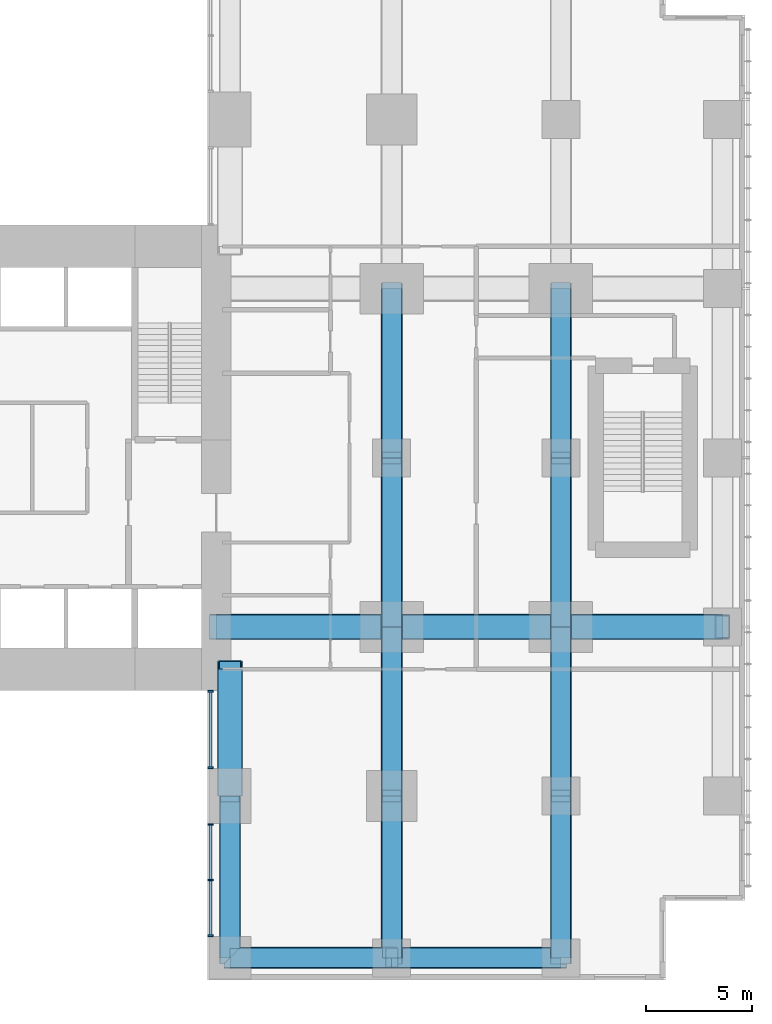
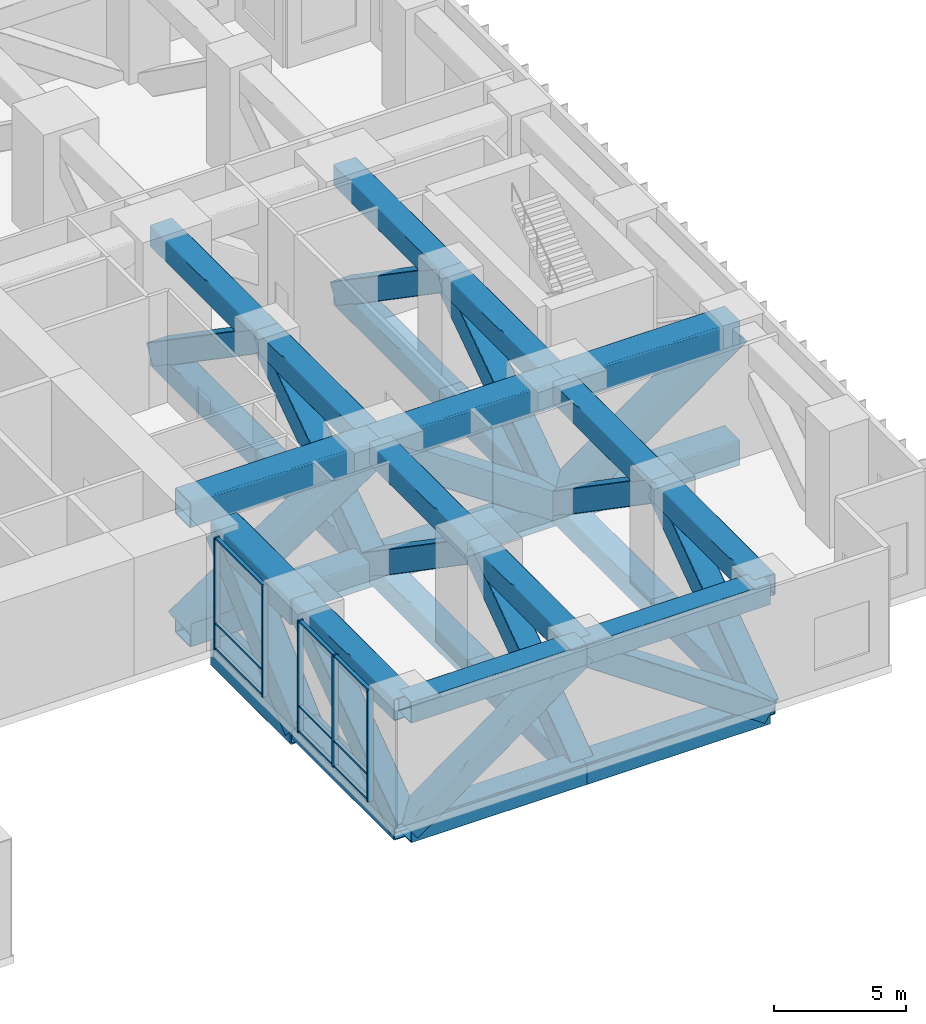
# One storey, part 3 of 15: 59 members, 2 elements without a shape of their own.
"""IFC4 building model written with IfcOpenShell, lengths in metres."""

from ifc_helpers import new_model, si_unit, direction, frame, origin, origin_2d, place, context, subcontext, project, spatial, rectangle, hollow_rectangle, extrude, material, layer, layer_set, material_profile, profile_set, type_object, element, aggregate, save


model = new_model("IFC4")

# Units and contexts
model_context = context("Model", 3, precision=1e-05, world=origin(), true_north=direction((0.0, 1.0)))
body_context = subcontext(model_context, "Body", "Model", "MODEL_VIEW")
ifc_project = project(units=[si_unit("LENGTHUNIT", "METRE"), si_unit("AREAUNIT", "SQUARE_METRE"), si_unit("VOLUMEUNIT", "CUBIC_METRE"), si_unit("PLANEANGLEUNIT", "RADIAN"), si_unit("MASSUNIT", "GRAM", prefix="KILO")], contexts=[model_context])

# Site, building, storey
site_placement = place(None, origin())
site = spatial("IfcSite", under=ifc_project, at=site_placement, CompositionType="ELEMENT")
building_placement = place(site_placement, origin())
building = spatial("IfcBuilding", under=site, at=building_placement, Name="Cleftline Residences", CompositionType="ELEMENT")
storey_placement = place(building_placement, frame((0.0, 0.0, 171.800048828125)))
storey = spatial("IfcBuildingStorey", under=building, at=storey_placement, Name="L45", CompositionType="ELEMENT", Elevation=171.800048828125)

# Members
ifc_material_1 = material(Name="Steel S355", Category="steel")
ifc_material_profile_1 = material_profile(ifc_material_1, hollow_rectangle(XDim=1.0, YDim=1.0, WallThickness=0.0400390625, InnerFilletRadius=0.0400390625, OuterFilletRadius=0.06005859375, at=origin_2d()))
ifc_profile_set_1 = profile_set([ifc_material_profile_1], Name="Steel S355")
member_type_1 = type_object("IfcMemberType", Name="BRACE BOX 1000X1000X40", PredefinedType="BRACE", material=ifc_profile_set_1)
for number, where, z_axis, x_axis, name in (
    (1, (42.35009765625, 0.35009765625, -0.85009765625), (0.0, 0.811933238445, 0.583750303048), (0.0, -0.583750303048, 0.811933238445), "Belt truss diagonal"),
    (2, (50.0, 0.35009765625, -0.85009765625), (0.0, 0.811933238445, 0.583750303048), (0.0, -0.583750303048, 0.811933238445), "Belt truss diagonal"),
):
    element("IfcMember", number, at=place(storey_placement, frame(where, z_axis=z_axis, x_axis=x_axis)), inside=storey, type_object=member_type_1, Name=name, PredefinedType="BRACE", context=body_context, shape_type="SweptSolid", body=[
        extrude(hollow_rectangle(XDim=1.0, YDim=1.0, WallThickness=0.0400390625, InnerFilletRadius=0.0400390625, OuterFilletRadius=0.06005859375, at=origin_2d()), origin(), (0.0, 0.0, 1.0), 9.421875),
    ])
for number, where, z_axis, x_axis, name in (
    (3, (50.0, 8.0, 4.64990234375), (0.0, 0.824041924199, -0.566528822887), (0.0, 0.566528822887, 0.824041924199), "Belt truss diagonal"),
    (4, (50.0, 16.0, -0.85009765625), (0.0, 0.824041924199, 0.566528822887), (0.0, -0.566528822887, 0.824041924199), "Belt truss diagonal"),
    (5, (50.0, 24.0, 4.64990234375), (0.0, 0.824041924199, -0.566528822887), (0.0, 0.566528822887, 0.824041924199), "Belt truss diagonal"),
):
    element("IfcMember", number, at=place(storey_placement, frame(where, z_axis=z_axis, x_axis=x_axis)), inside=storey, type_object=member_type_1, Name=name, PredefinedType="BRACE", context=body_context, shape_type="SweptSolid", body=[
        extrude(hollow_rectangle(XDim=1.0, YDim=1.0, WallThickness=0.0400390625, InnerFilletRadius=0.0400390625, OuterFilletRadius=0.06005859375, at=origin_2d()), origin(), (0.0, 0.0, 1.0), 9.708251953125),
    ])
member_1_placement = place(storey_placement, frame((58.0, 0.35009765625, -0.85009765625), z_axis=(0.0, 0.811933238445, 0.583750303048), x_axis=(0.0, -0.583750303048, 0.811933238445)))
element("IfcMember", 6, at=member_1_placement, inside=storey, type_object=member_type_1, Name="Belt truss diagonal", PredefinedType="BRACE", context=body_context, shape_type="SweptSolid", body=[
    extrude(hollow_rectangle(XDim=1.0, YDim=1.0, WallThickness=0.0400390625, InnerFilletRadius=0.0400390625, OuterFilletRadius=0.06005859375, at=origin_2d()), origin(), (0.0, 0.0, 1.0), 9.421875),
])
for number, where, z_axis, x_axis, name in (
    (7, (58.0, 8.0, 4.64990234375), (0.0, 0.824041924199, -0.566528822887), (0.0, 0.566528822887, 0.824041924199), "Belt truss diagonal"),
    (8, (58.0, 16.0, -0.85009765625), (0.0, 0.824041924199, 0.566528822887), (0.0, -0.566528822887, 0.824041924199), "Belt truss diagonal"),
    (9, (58.0, 24.0, 4.64990234375), (0.0, 0.824041924199, -0.566528822887), (0.0, 0.566528822887, 0.824041924199), "Belt truss diagonal"),
):
    element("IfcMember", number, at=place(storey_placement, frame(where, z_axis=z_axis, x_axis=x_axis)), inside=storey, type_object=member_type_1, Name=name, PredefinedType="BRACE", context=body_context, shape_type="SweptSolid", body=[
        extrude(hollow_rectangle(XDim=1.0, YDim=1.0, WallThickness=0.0400390625, InnerFilletRadius=0.0400390625, OuterFilletRadius=0.06005859375, at=origin_2d()), origin(), (0.0, 0.0, 1.0), 9.708251953125),
    ])
member_2_placement = place(storey_placement, frame((42.35009765625, 0.35009765625, -0.85009765625), z_axis=(0.811933238445, 0.0, 0.583750303048), x_axis=(-0.583750303048, 0.0, 0.811933238445)))
element("IfcMember", 10, at=member_2_placement, inside=storey, type_object=member_type_1, Name="Belt truss diagonal", PredefinedType="BRACE", context=body_context, shape_type="SweptSolid", body=[
    extrude(hollow_rectangle(XDim=1.0, YDim=1.0, WallThickness=0.0400390625, InnerFilletRadius=0.0400390625, OuterFilletRadius=0.06005859375, at=origin_2d()), origin(), (0.0, 0.0, 1.0), 9.421875),
])
member_3_placement = place(storey_placement, frame((50.0, 0.35009765625, 4.64990234375), z_axis=(0.824041924199, 0.0, -0.566528822887), x_axis=(0.566528822887, 0.0, 0.824041924199)))
element("IfcMember", 11, at=member_3_placement, inside=storey, type_object=member_type_1, Name="Belt truss diagonal", PredefinedType="BRACE", context=body_context, shape_type="SweptSolid", body=[
    extrude(hollow_rectangle(XDim=1.0, YDim=1.0, WallThickness=0.0400390625, InnerFilletRadius=0.0400390625, OuterFilletRadius=0.06005859375, at=origin_2d()), origin(), (0.0, 0.0, 1.0), 9.708251953125),
])
ifc_material_2 = material(Name="Steel S355", Category="steel")
ifc_material_profile_2 = material_profile(ifc_material_2, hollow_rectangle(XDim=1.199951171875, YDim=1.199951171875, WallThickness=0.06005859375, InnerFilletRadius=0.06005859375, OuterFilletRadius=0.090087890625, at=origin_2d()))
ifc_profile_set_2 = profile_set([ifc_material_profile_2], Name="Steel S355")
member_type_2 = type_object("IfcMemberType", Name="BRACE BOX 1200X1200X60", PredefinedType="BRACE", material=ifc_profile_set_2)
member_4_placement = place(storey_placement, frame((41.699951171875, 16.0, -0.949951171875), z_axis=(0.833593682581, 0.0, 0.552378106338), x_axis=(-0.552378106338, 0.0, 0.833593682581)))
element("IfcMember", 12, at=member_4_placement, inside=storey, type_object=member_type_2, Name="Outrigger truss diagonal", PredefinedType="BRACE", context=body_context, shape_type="SweptSolid", body=[
    extrude(hollow_rectangle(XDim=1.199951171875, YDim=1.199951171875, WallThickness=0.06005859375, InnerFilletRadius=0.06005859375, OuterFilletRadius=0.090087890625, at=origin_2d()), origin(), (0.0, 0.0, 1.0), 9.95703125),
])
member_5_placement = place(storey_placement, frame((50.0, 16.0, 4.550048828125), z_axis=(0.824041924199, 0.0, -0.566528822887), x_axis=(0.566528822887, 0.0, 0.824041924199)))
element("IfcMember", 13, at=member_5_placement, inside=storey, type_object=member_type_2, Name="Outrigger truss diagonal", PredefinedType="BRACE", context=body_context, shape_type="SweptSolid", body=[
    extrude(hollow_rectangle(XDim=1.199951171875, YDim=1.199951171875, WallThickness=0.06005859375, InnerFilletRadius=0.06005859375, OuterFilletRadius=0.090087890625, at=origin_2d()), origin(), (0.0, 0.0, 1.0), 9.708251953125),
])
member_6_placement = place(storey_placement, frame((58.0, 16.0, -0.949951171875), z_axis=(0.811933238445, 0.0, 0.583750303048), x_axis=(-0.583750303048, 0.0, 0.811933238445)))
element("IfcMember", 14, at=member_6_placement, inside=storey, type_object=member_type_2, Name="Outrigger truss diagonal", PredefinedType="BRACE", context=body_context, shape_type="SweptSolid", body=[
    extrude(hollow_rectangle(XDim=1.199951171875, YDim=1.199951171875, WallThickness=0.06005859375, InnerFilletRadius=0.06005859375, OuterFilletRadius=0.090087890625, at=origin_2d()), origin(), (0.0, 0.0, 1.0), 9.421875),
])
member_7_placement = place(storey_placement, frame((42.35009765625, 8.0, -0.949951171875), z_axis=(0.0, 0.737154140201, 0.675724628517), x_axis=(0.0, -0.675724628517, 0.737154140201)))
element("IfcMember", 15, at=member_7_placement, inside=storey, type_object=member_type_2, Name="Outrigger truss diagonal", PredefinedType="BRACE", context=body_context, shape_type="SweptSolid", body=[
    extrude(hollow_rectangle(XDim=1.199951171875, YDim=1.199951171875, WallThickness=0.06005859375, InnerFilletRadius=0.06005859375, OuterFilletRadius=0.090087890625, at=origin_2d()), origin(), (0.0, 0.0, 1.0), 8.139404296875),
])
ifc_material_3 = material(Name="Steel S355", Category="steel")
ifc_material_profile_3 = material_profile(ifc_material_3, hollow_rectangle(XDim=1.0, YDim=1.0, WallThickness=0.0400390625, InnerFilletRadius=0.0400390625, OuterFilletRadius=0.06005859375, at=origin_2d()))
ifc_profile_set_3 = profile_set([ifc_material_profile_3], Name="Steel S355")
member_type_3 = type_object("IfcMemberType", Name="CHORD BOX 1000X1000X40", PredefinedType="CHORD", material=ifc_profile_set_3)
for number, where, z_axis, x_axis, name in (
    (16, (42.35009765625, 0.35009765625, -0.85009765625), (0.0, 1.0, 0.0), (-1.0, 0.0, 0.0), "Belt truss bottom chord"),
    (17, (42.35009765625, 0.35009765625, 4.64990234375), (0.0, 1.0, 0.0), (-1.0, 0.0, 0.0), "Belt truss top chord"),
    (18, (50.0, 0.35009765625, -0.85009765625), (0.0, 1.0, 0.0), (-1.0, 0.0, 0.0), "Belt truss bottom chord"),
    (19, (50.0, 0.35009765625, 4.64990234375), (0.0, 1.0, 0.0), (-1.0, 0.0, 0.0), "Belt truss top chord"),
):
    element("IfcMember", number, at=place(storey_placement, frame(where, z_axis=z_axis, x_axis=x_axis)), inside=storey, type_object=member_type_3, Name=name, PredefinedType="CHORD", context=body_context, shape_type="SweptSolid", body=[
        extrude(hollow_rectangle(XDim=1.0, YDim=1.0, WallThickness=0.0400390625, InnerFilletRadius=0.0400390625, OuterFilletRadius=0.06005859375, at=origin_2d()), origin(), (0.0, 0.0, 1.0), 7.64990234375),
    ])
for number, where, z_axis, x_axis, name in (
    (20, (50.0, 8.0, -0.85009765625), (0.0, 1.0, 0.0), (-1.0, 0.0, 0.0), "Belt truss bottom chord"),
    (21, (50.0, 8.0, 4.64990234375), (0.0, 1.0, 0.0), (-1.0, 0.0, 0.0), "Belt truss top chord"),
    (22, (50.0, 16.0, -0.85009765625), (0.0, 1.0, 0.0), (-1.0, 0.0, 0.0), "Belt truss bottom chord"),
    (23, (50.0, 16.0, 4.64990234375), (0.0, 1.0, 0.0), (-1.0, 0.0, 0.0), "Belt truss top chord"),
    (24, (50.0, 24.0, -0.85009765625), (0.0, 1.0, 0.0), (-1.0, 0.0, 0.0), "Belt truss bottom chord"),
    (25, (50.0, 24.0, 4.64990234375), (0.0, 1.0, 0.0), (-1.0, 0.0, 0.0), "Belt truss top chord"),
):
    element("IfcMember", number, at=place(storey_placement, frame(where, z_axis=z_axis, x_axis=x_axis)), inside=storey, type_object=member_type_3, Name=name, PredefinedType="CHORD", context=body_context, shape_type="SweptSolid", body=[
        extrude(hollow_rectangle(XDim=1.0, YDim=1.0, WallThickness=0.0400390625, InnerFilletRadius=0.0400390625, OuterFilletRadius=0.06005859375, at=origin_2d()), origin(), (0.0, 0.0, 1.0), 8.0),
    ])
for number, where, z_axis, x_axis, name in (
    (26, (58.0, 0.35009765625, -0.85009765625), (0.0, 1.0, 0.0), (-1.0, 0.0, 0.0), "Belt truss bottom chord"),
    (27, (58.0, 0.35009765625, 4.64990234375), (0.0, 1.0, 0.0), (-1.0, 0.0, 0.0), "Belt truss top chord"),
):
    element("IfcMember", number, at=place(storey_placement, frame(where, z_axis=z_axis, x_axis=x_axis)), inside=storey, type_object=member_type_3, Name=name, PredefinedType="CHORD", context=body_context, shape_type="SweptSolid", body=[
        extrude(hollow_rectangle(XDim=1.0, YDim=1.0, WallThickness=0.0400390625, InnerFilletRadius=0.0400390625, OuterFilletRadius=0.06005859375, at=origin_2d()), origin(), (0.0, 0.0, 1.0), 7.64990234375),
    ])
for number, where, z_axis, x_axis, name in (
    (28, (58.0, 8.0, -0.85009765625), (0.0, 1.0, 0.0), (-1.0, 0.0, 0.0), "Belt truss bottom chord"),
    (29, (58.0, 8.0, 4.64990234375), (0.0, 1.0, 0.0), (-1.0, 0.0, 0.0), "Belt truss top chord"),
    (30, (58.0, 16.0, -0.85009765625), (0.0, 1.0, 0.0), (-1.0, 0.0, 0.0), "Belt truss bottom chord"),
    (31, (58.0, 16.0, 4.64990234375), (0.0, 1.0, 0.0), (-1.0, 0.0, 0.0), "Belt truss top chord"),
    (32, (58.0, 24.0, -0.85009765625), (0.0, 1.0, 0.0), (-1.0, 0.0, 0.0), "Belt truss bottom chord"),
    (33, (58.0, 24.0, 4.64990234375), (0.0, 1.0, 0.0), (-1.0, 0.0, 0.0), "Belt truss top chord"),
):
    element("IfcMember", number, at=place(storey_placement, frame(where, z_axis=z_axis, x_axis=x_axis)), inside=storey, type_object=member_type_3, Name=name, PredefinedType="CHORD", context=body_context, shape_type="SweptSolid", body=[
        extrude(hollow_rectangle(XDim=1.0, YDim=1.0, WallThickness=0.0400390625, InnerFilletRadius=0.0400390625, OuterFilletRadius=0.06005859375, at=origin_2d()), origin(), (0.0, 0.0, 1.0), 8.0),
    ])
for number, where, z_axis, x_axis, name in (
    (34, (42.35009765625, 0.35009765625, -0.85009765625), (1.0, 0.0, 0.0), (0.0, 1.0, 0.0), "Belt truss bottom chord"),
    (35, (42.35009765625, 0.35009765625, 4.64990234375), (1.0, 0.0, 0.0), (0.0, 1.0, 0.0), "Belt truss top chord"),
):
    element("IfcMember", number, at=place(storey_placement, frame(where, z_axis=z_axis, x_axis=x_axis)), inside=storey, type_object=member_type_3, Name=name, PredefinedType="CHORD", context=body_context, shape_type="SweptSolid", body=[
        extrude(hollow_rectangle(XDim=1.0, YDim=1.0, WallThickness=0.0400390625, InnerFilletRadius=0.0400390625, OuterFilletRadius=0.06005859375, at=origin_2d()), origin(), (0.0, 0.0, 1.0), 7.64990234375),
    ])
for number, where, z_axis, x_axis, name in (
    (36, (50.0, 0.35009765625, -0.85009765625), (1.0, 0.0, 0.0), (0.0, 1.0, 0.0), "Belt truss bottom chord"),
    (37, (50.0, 0.35009765625, 4.64990234375), (1.0, 0.0, 0.0), (0.0, 1.0, 0.0), "Belt truss top chord"),
):
    element("IfcMember", number, at=place(storey_placement, frame(where, z_axis=z_axis, x_axis=x_axis)), inside=storey, type_object=member_type_3, Name=name, PredefinedType="CHORD", context=body_context, shape_type="SweptSolid", body=[
        extrude(hollow_rectangle(XDim=1.0, YDim=1.0, WallThickness=0.0400390625, InnerFilletRadius=0.0400390625, OuterFilletRadius=0.06005859375, at=origin_2d()), origin(), (0.0, 0.0, 1.0), 8.0),
    ])
ifc_material_4 = material(Name="Steel S355", Category="steel")
ifc_material_profile_4 = material_profile(ifc_material_4, hollow_rectangle(XDim=1.199951171875, YDim=1.199951171875, WallThickness=0.06005859375, InnerFilletRadius=0.06005859375, OuterFilletRadius=0.090087890625, at=origin_2d()))
ifc_profile_set_4 = profile_set([ifc_material_profile_4], Name="Steel S355")
member_type_4 = type_object("IfcMemberType", Name="CHORD BOX 1200X1200X60", PredefinedType="CHORD", material=ifc_profile_set_4)
for number, where, z_axis, x_axis, name in (
    (38, (41.699951171875, 16.0, -0.949951171875), (1.0, 0.0, 0.0), (0.0, 1.0, 0.0), "Outrigger truss bottom chord"),
    (39, (41.699951171875, 16.0, 4.550048828125), (1.0, 0.0, 0.0), (0.0, 1.0, 0.0), "Outrigger truss top chord"),
):
    element("IfcMember", number, at=place(storey_placement, frame(where, z_axis=z_axis, x_axis=x_axis)), inside=storey, type_object=member_type_4, Name=name, PredefinedType="CHORD", context=body_context, shape_type="SweptSolid", body=[
        extrude(hollow_rectangle(XDim=1.199951171875, YDim=1.199951171875, WallThickness=0.06005859375, InnerFilletRadius=0.06005859375, OuterFilletRadius=0.090087890625, at=origin_2d()), origin(), (0.0, 0.0, 1.0), 8.300048828125),
    ])
for number, where, z_axis, x_axis, name in (
    (40, (50.0, 16.0, -0.949951171875), (1.0, 0.0, 0.0), (0.0, 1.0, 0.0), "Outrigger truss bottom chord"),
    (41, (50.0, 16.0, 4.550048828125), (1.0, 0.0, 0.0), (0.0, 1.0, 0.0), "Outrigger truss top chord"),
):
    element("IfcMember", number, at=place(storey_placement, frame(where, z_axis=z_axis, x_axis=x_axis)), inside=storey, type_object=member_type_4, Name=name, PredefinedType="CHORD", context=body_context, shape_type="SweptSolid", body=[
        extrude(hollow_rectangle(XDim=1.199951171875, YDim=1.199951171875, WallThickness=0.06005859375, InnerFilletRadius=0.06005859375, OuterFilletRadius=0.090087890625, at=origin_2d()), origin(), (0.0, 0.0, 1.0), 8.0),
    ])
for number, where, z_axis, x_axis, name in (
    (42, (58.0, 16.0, -0.949951171875), (1.0, 0.0, 0.0), (0.0, 1.0, 0.0), "Outrigger truss bottom chord"),
    (43, (58.0, 16.0, 4.550048828125), (1.0, 0.0, 0.0), (0.0, 1.0, 0.0), "Outrigger truss top chord"),
):
    element("IfcMember", number, at=place(storey_placement, frame(where, z_axis=z_axis, x_axis=x_axis)), inside=storey, type_object=member_type_4, Name=name, PredefinedType="CHORD", context=body_context, shape_type="SweptSolid", body=[
        extrude(hollow_rectangle(XDim=1.199951171875, YDim=1.199951171875, WallThickness=0.06005859375, InnerFilletRadius=0.06005859375, OuterFilletRadius=0.090087890625, at=origin_2d()), origin(), (0.0, 0.0, 1.0), 7.64990234375),
    ])
for number, where, z_axis, x_axis, name in (
    (44, (42.35009765625, 8.0, -0.949951171875), (0.0, 1.0, 0.0), (-1.0, 0.0, 0.0), "Outrigger truss bottom chord"),
    (45, (42.35009765625, 8.0, 4.550048828125), (0.0, 1.0, 0.0), (-1.0, 0.0, 0.0), "Outrigger truss top chord"),
):
    element("IfcMember", number, at=place(storey_placement, frame(where, z_axis=z_axis, x_axis=x_axis)), inside=storey, type_object=member_type_4, Name=name, PredefinedType="CHORD", context=body_context, shape_type="SweptSolid", body=[
        extrude(hollow_rectangle(XDim=1.199951171875, YDim=1.199951171875, WallThickness=0.06005859375, InnerFilletRadius=0.06005859375, OuterFilletRadius=0.090087890625, at=origin_2d()), origin(), (0.0, 0.0, 1.0), 6.0),
    ])

# Curtain wall, members
ifc_material_5 = material(Name="Aluminium framed louvre screen", Category="aluminium")
ifc_layer = layer(ifc_material_5, 0.25)
ifc_layer_set = layer_set([ifc_layer], Name="CW6 REFUGE LOUVRE SCREEN")
curtain_wall_type = type_object("IfcCurtainWallType", Name="CW6 REFUGE LOUVRE SCREEN", PredefinedType="NOTDEFINED", material=ifc_layer_set)
curtain_wall_1_placement = place(storey_placement, origin())
curtain_wall_1 = element("IfcCurtainWall", 46, at=curtain_wall_1_placement, inside=storey, type_object=curtain_wall_type, Name="Louvre screen CW6", PredefinedType="NOTDEFINED")
ifc_material_6 = material(Name="Aluminium louvre mullion", Category="aluminium")
ifc_material_profile_5 = material_profile(ifc_material_6, rectangle(XDim=0.25, YDim=0.080078125, at=origin_2d()))
ifc_profile_set_5 = profile_set([ifc_material_profile_5], Name="Aluminium louvre mullion")
member_type_5 = type_object("IfcMemberType", Name="CW6 LOUVRE MULLION", PredefinedType="MULLION", material=ifc_profile_set_5)
member_8_placement = place(storey_placement, frame((41.425048828125, 12.9599609375, 0.0), z_axis=(0.0, 0.0, 1.0), x_axis=(1.0, 0.0, 0.0)))
member_8 = element("IfcMember", 47, at=member_8_placement, type_object=member_type_5, Name="CW6 mullion 1", PredefinedType="MULLION", context=body_context, shape_type="SweptSolid", body=[
    extrude(rectangle(XDim=0.25, YDim=0.080078125, at=origin_2d()), origin(), (0.0, 0.0, 1.0), 5.14990234375),
])
member_9_placement = place(storey_placement, frame((41.425048828125, 9.340087890625, 0.0), z_axis=(0.0, 0.0, 1.0), x_axis=(1.0, 0.0, 0.0)))
member_9 = element("IfcMember", 48, at=member_9_placement, type_object=member_type_5, Name="CW6 mullion 2", PredefinedType="MULLION", context=body_context, shape_type="SweptSolid", body=[
    extrude(rectangle(XDim=0.25, YDim=0.080078125, at=origin_2d()), origin(), (0.0, 0.0, 1.0), 5.14990234375),
])

curtain_wall_2_placement = place(storey_placement, origin())
curtain_wall_2 = element("IfcCurtainWall", 49, at=curtain_wall_2_placement, inside=storey, type_object=curtain_wall_type, Name="Louvre screen CW6", PredefinedType="NOTDEFINED")
member_10_placement = place(storey_placement, frame((41.425048828125, 6.659912109375, 0.0), z_axis=(0.0, 0.0, 1.0), x_axis=(1.0, 0.0, 0.0)))
member_10 = element("IfcMember", 50, at=member_10_placement, type_object=member_type_5, Name="CW6 mullion 1", PredefinedType="MULLION", context=body_context, shape_type="SweptSolid", body=[
    extrude(rectangle(XDim=0.25, YDim=0.080078125, at=origin_2d()), origin(), (0.0, 0.0, 1.0), 5.14990234375),
])
member_11_placement = place(storey_placement, frame((41.425048828125, 4.02490234375, 0.0), z_axis=(0.0, 0.0, 1.0), x_axis=(1.0, 0.0, 0.0)))
member_11 = element("IfcMember", 51, at=member_11_placement, type_object=member_type_5, Name="CW6 mullion 2", PredefinedType="MULLION", context=body_context, shape_type="SweptSolid", body=[
    extrude(rectangle(XDim=0.25, YDim=0.080078125, at=origin_2d()), origin(), (0.0, 0.0, 1.0), 5.14990234375),
])
member_12_placement = place(storey_placement, frame((41.425048828125, 1.389892578125, 0.0), z_axis=(0.0, 0.0, 1.0), x_axis=(1.0, 0.0, 0.0)))
member_12 = element("IfcMember", 52, at=member_12_placement, type_object=member_type_5, Name="CW6 mullion 3", PredefinedType="MULLION", context=body_context, shape_type="SweptSolid", body=[
    extrude(rectangle(XDim=0.25, YDim=0.080078125, at=origin_2d()), origin(), (0.0, 0.0, 1.0), 5.14990234375),
])

# Member
ifc_material_7 = material(Name="Aluminium louvre transom", Category="aluminium")
ifc_material_profile_6 = material_profile(ifc_material_7, rectangle(XDim=0.14990234375, YDim=0.080078125, at=origin_2d()))
ifc_profile_set_6 = profile_set([ifc_material_profile_6], Name="Aluminium louvre transom")
member_type_6 = type_object("IfcMemberType", Name="CW6 LOUVRE TRANSOM", PredefinedType="USERDEFINED", material=ifc_profile_set_6)
member_13_placement = place(storey_placement, frame((41.425048828125, 12.919921875, 0.0400390625), z_axis=(0.0, -1.0, 0.0), x_axis=(1.0, 0.0, 0.0)))
member_13 = element("IfcMember", 53, at=member_13_placement, type_object=member_type_6, Name="CW6 transom 1.1", ObjectType="TRANSOM", PredefinedType="USERDEFINED", context=body_context, shape_type="SweptSolid", body=[
    extrude(rectangle(XDim=0.14990234375, YDim=0.080078125, at=origin_2d()), origin(), (0.0, 0.0, 1.0), 3.5400390625),
])

member_14_placement = place(storey_placement, frame((41.425048828125, 12.919921875, 1.199951171875), z_axis=(0.0, -1.0, 0.0), x_axis=(1.0, 0.0, 0.0)))
member_14 = element("IfcMember", 54, at=member_14_placement, type_object=member_type_6, Name="CW6 transom 1.2", ObjectType="TRANSOM", PredefinedType="USERDEFINED", context=body_context, shape_type="SweptSolid", body=[
    extrude(rectangle(XDim=0.14990234375, YDim=0.080078125, at=origin_2d()), origin(), (0.0, 0.0, 1.0), 3.5400390625),
])

member_15_placement = place(storey_placement, frame((41.425048828125, 12.919921875, 5.10986328125), z_axis=(0.0, -1.0, 0.0), x_axis=(1.0, 0.0, 0.0)))
member_15 = element("IfcMember", 55, at=member_15_placement, type_object=member_type_6, Name="CW6 transom 1.3", ObjectType="TRANSOM", PredefinedType="USERDEFINED", context=body_context, shape_type="SweptSolid", body=[
    extrude(rectangle(XDim=0.14990234375, YDim=0.080078125, at=origin_2d()), origin(), (0.0, 0.0, 1.0), 3.5400390625),
])

aggregate(curtain_wall_1, [member_8, member_9, member_13, member_14, member_15])

member_16_placement = place(storey_placement, frame((41.425048828125, 6.6201171875, 0.0400390625), z_axis=(0.0, -1.0, 0.0), x_axis=(1.0, 0.0, 0.0)))
member_16 = element("IfcMember", 56, at=member_16_placement, type_object=member_type_6, Name="CW6 transom 1.1", ObjectType="TRANSOM", PredefinedType="USERDEFINED", context=body_context, shape_type="SweptSolid", body=[
    extrude(rectangle(XDim=0.14990234375, YDim=0.080078125, at=origin_2d()), origin(), (0.0, 0.0, 1.0), 2.55517578125),
])

member_17_placement = place(storey_placement, frame((41.425048828125, 6.6201171875, 1.199951171875), z_axis=(0.0, -1.0, 0.0), x_axis=(1.0, 0.0, 0.0)))
member_17 = element("IfcMember", 57, at=member_17_placement, type_object=member_type_6, Name="CW6 transom 1.2", ObjectType="TRANSOM", PredefinedType="USERDEFINED", context=body_context, shape_type="SweptSolid", body=[
    extrude(rectangle(XDim=0.14990234375, YDim=0.080078125, at=origin_2d()), origin(), (0.0, 0.0, 1.0), 2.55517578125),
])

member_18_placement = place(storey_placement, frame((41.425048828125, 6.6201171875, 5.10986328125), z_axis=(0.0, -1.0, 0.0), x_axis=(1.0, 0.0, 0.0)))
member_18 = element("IfcMember", 58, at=member_18_placement, type_object=member_type_6, Name="CW6 transom 1.3", ObjectType="TRANSOM", PredefinedType="USERDEFINED", context=body_context, shape_type="SweptSolid", body=[
    extrude(rectangle(XDim=0.14990234375, YDim=0.080078125, at=origin_2d()), origin(), (0.0, 0.0, 1.0), 2.55517578125),
])

member_19_placement = place(storey_placement, frame((41.425048828125, 3.985107421875, 0.0400390625), z_axis=(0.0, -1.0, 0.0), x_axis=(1.0, 0.0, 0.0)))
member_19 = element("IfcMember", 59, at=member_19_placement, type_object=member_type_6, Name="CW6 transom 2.1", ObjectType="TRANSOM", PredefinedType="USERDEFINED", context=body_context, shape_type="SweptSolid", body=[
    extrude(rectangle(XDim=0.14990234375, YDim=0.080078125, at=origin_2d()), origin(), (0.0, 0.0, 1.0), 2.55517578125),
])

member_20_placement = place(storey_placement, frame((41.425048828125, 3.985107421875, 1.199951171875), z_axis=(0.0, -1.0, 0.0), x_axis=(1.0, 0.0, 0.0)))
member_20 = element("IfcMember", 60, at=member_20_placement, type_object=member_type_6, Name="CW6 transom 2.2", ObjectType="TRANSOM", PredefinedType="USERDEFINED", context=body_context, shape_type="SweptSolid", body=[
    extrude(rectangle(XDim=0.14990234375, YDim=0.080078125, at=origin_2d()), origin(), (0.0, 0.0, 1.0), 2.55517578125),
])

member_21_placement = place(storey_placement, frame((41.425048828125, 3.985107421875, 5.10986328125), z_axis=(0.0, -1.0, 0.0), x_axis=(1.0, 0.0, 0.0)))
member_21 = element("IfcMember", 61, at=member_21_placement, type_object=member_type_6, Name="CW6 transom 2.3", ObjectType="TRANSOM", PredefinedType="USERDEFINED", context=body_context, shape_type="SweptSolid", body=[
    extrude(rectangle(XDim=0.14990234375, YDim=0.080078125, at=origin_2d()), origin(), (0.0, 0.0, 1.0), 2.55517578125),
])

aggregate(curtain_wall_2, [member_10, member_11, member_12, member_16, member_17, member_18, member_19, member_20, member_21])

save(model, "model.ifc")
